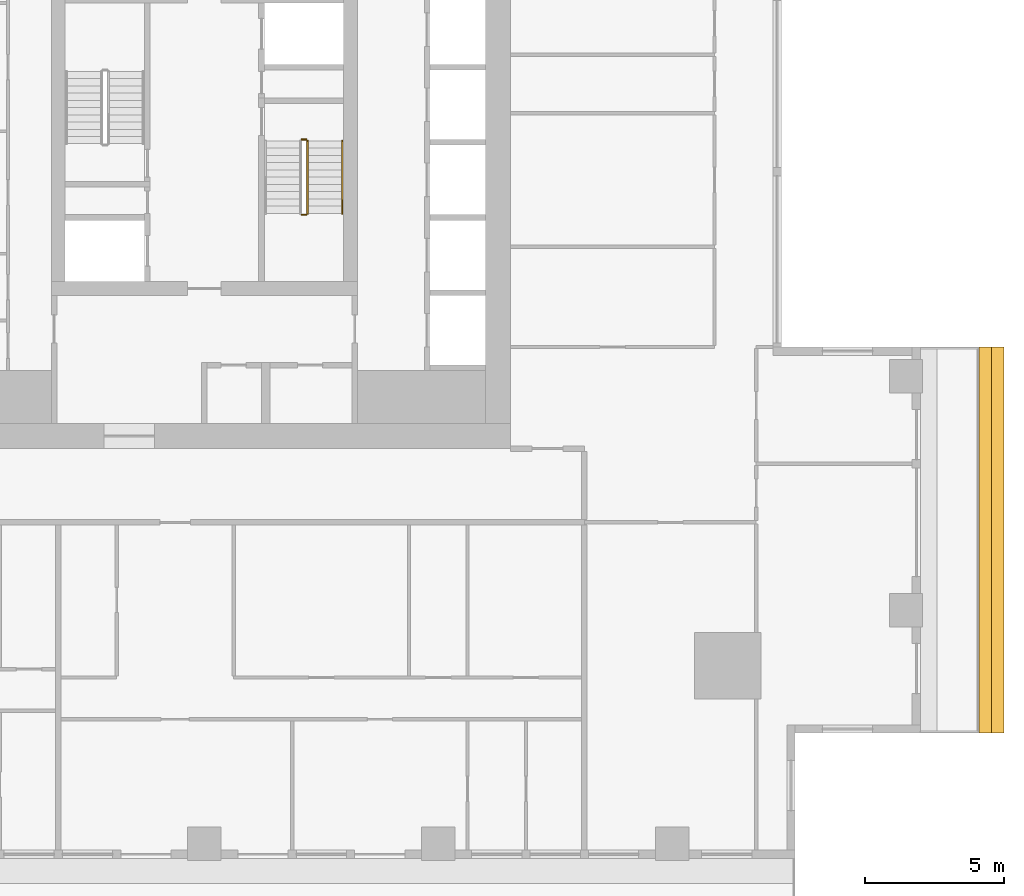
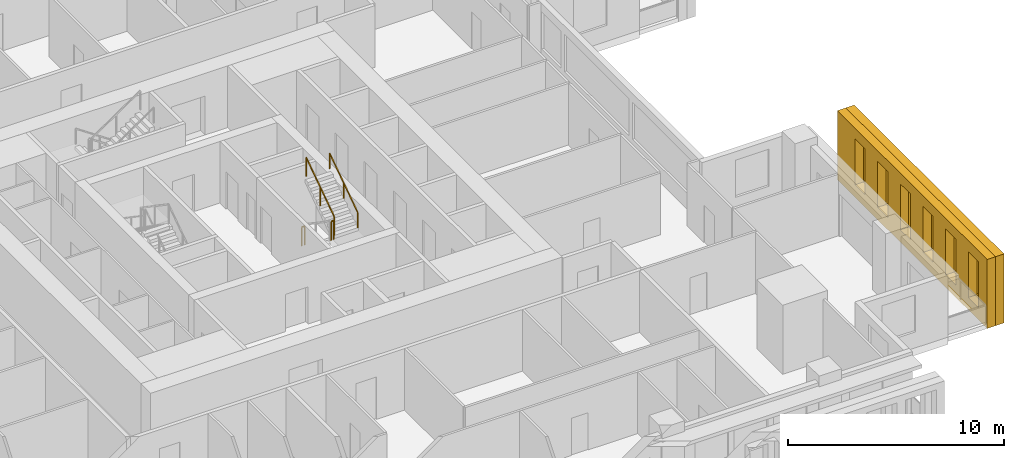
# One storey, part 14 of 16: 4 railings, 2 shading devices.
"""IFC4 building model written with IfcOpenShell, lengths in metres."""

from ifc_helpers import new_model, si_unit, direction, frame, origin, origin_2d, place, context, subcontext, project, spatial, polyline, rectangle, outline, extrude, material, type_object, element, save


model = new_model("IFC4")

# Units and contexts
model_context = context("Model", 3, precision=1e-05, world=origin(), true_north=direction((0.0, 1.0)))
body_context = subcontext(model_context, "Body", "Model", "MODEL_VIEW")
ifc_project = project(units=[si_unit("LENGTHUNIT", "METRE"), si_unit("AREAUNIT", "SQUARE_METRE"), si_unit("VOLUMEUNIT", "CUBIC_METRE"), si_unit("PLANEANGLEUNIT", "RADIAN"), si_unit("MASSUNIT", "GRAM", prefix="KILO")], contexts=[model_context])

# Site, building, storey
site_placement = place(None, origin())
site = spatial("IfcSite", under=ifc_project, at=site_placement, CompositionType="ELEMENT")
building_placement = place(site_placement, origin())
building = spatial("IfcBuilding", under=site, at=building_placement, Name="Khepri Terraces", CompositionType="ELEMENT")
storey_placement = place(building_placement, frame((0.0, 0.0, 207.89990234375)))
storey = spatial("IfcBuildingStorey", under=building, at=storey_placement, Name="L49", CompositionType="ELEMENT", Elevation=207.89990234375)

# Railings
ifc_material_1 = material(Name="Stainless steel 316", Category="steel")
railing_type_1 = type_object("IfcRailingType", Name="RL-CORE-GUARD", PredefinedType="GUARDRAIL", material=ifc_material_1)
railing_1_placement = place(storey_placement, frame((3.5, -2.60009765625, 1.9501953125)))
element("IfcRailing", 1, at=railing_1_placement, inside=storey, type_object=railing_type_1, Name="L49 ST-2 stair guard 2", PredefinedType="GUARDRAIL", context=body_context, shape_type="SweptSolid", body=[
    extrude(rectangle(XDim=0.050048828125, YDim=0.06005859375, at=origin_2d()), frame((0.0, 0.0, 1.070068359375), z_axis=(1.0, 0.0, 0.0), x_axis=(0.0, 1.0, 0.0)), (0.0, 0.0, 1.0), 0.14990234375),
    extrude(rectangle(XDim=0.050048828125, YDim=0.050048828125, at=origin_2d()), origin(), (0.0, 0.0, 1.0), 1.0400390625),
    extrude(rectangle(XDim=0.050048828125, YDim=0.050048828125, at=origin_2d()), frame((0.14990234375, 0.0, 0.0)), (0.0, 0.0, 1.0), 1.0400390625),
])
railing_2_placement = place(storey_placement, frame((3.699951171875, -2.550048828125, 2.12744140625)))
element("IfcRailing", 2, at=railing_2_placement, inside=storey, type_object=railing_type_1, Name="L49 ST-2 stair guard 3", PredefinedType="GUARDRAIL", context=body_context, shape_type="SweptSolid", body=[
    extrude(rectangle(XDim=0.050048828125, YDim=0.06005859375, at=origin_2d()), frame((0.0, 0.0, 1.070068359375), z_axis=(0.0, 0.826240473404, 0.563317565952), x_axis=(-1.0, 0.0, 0.0)), (0.0, 0.0, 1.0), 3.14697265625),
    extrude(rectangle(XDim=0.050048828125, YDim=0.050048828125, at=origin_2d()), origin(), (0.0, 0.0, 1.0), 1.0400390625),
    extrude(rectangle(XDim=0.050048828125, YDim=0.050048828125, at=origin_2d()), frame((0.0, 1.300048828125, 0.88623046875)), (0.0, 0.0, 1.0), 1.0400390625),
    extrude(rectangle(XDim=0.050048828125, YDim=0.050048828125, at=origin_2d()), frame((0.0, 2.60009765625, 1.772705078125)), (0.0, 0.0, 1.0), 1.0400390625),
])
railing_3_placement = place(storey_placement, frame((3.5, 0.10009765625, 0.0)))
element("IfcRailing", 3, at=railing_3_placement, inside=storey, type_object=railing_type_1, Name="L49 ST-2 stair guard 4", PredefinedType="GUARDRAIL", context=body_context, shape_type="SweptSolid", body=[
    extrude(rectangle(XDim=0.050048828125, YDim=0.06005859375, at=origin_2d()), frame((0.0, 0.0, 1.070068359375), z_axis=(1.0, 0.0, 0.0), x_axis=(0.0, 1.0, 0.0)), (0.0, 0.0, 1.0), 0.14990234375),
    extrude(rectangle(XDim=0.050048828125, YDim=0.050048828125, at=origin_2d()), origin(), (0.0, 0.0, 1.0), 1.0400390625),
    extrude(rectangle(XDim=0.050048828125, YDim=0.050048828125, at=origin_2d()), frame((0.14990234375, 0.0, 0.0)), (0.0, 0.0, 1.0), 1.0400390625),
])
railing_type_2 = type_object("IfcRailingType", Name="RL-CORE-HANDRAIL", PredefinedType="HANDRAIL", material=ifc_material_1)
railing_4_placement = place(storey_placement, frame((4.949951171875, -2.550048828125, 2.12744140625)))
element("IfcRailing", 4, at=railing_4_placement, inside=storey, type_object=railing_type_2, Name="L49 ST-2 stair handrail 2", PredefinedType="HANDRAIL", context=body_context, shape_type="SweptSolid", body=[
    extrude(rectangle(XDim=0.050048828125, YDim=0.050048828125, at=origin_2d()), frame((0.0, 0.0, 0.875), z_axis=(0.0, 0.826240473404, 0.563317565952), x_axis=(-1.0, 0.0, 0.0)), (0.0, 0.0, 1.0), 3.14697265625),
    extrude(rectangle(XDim=0.050048828125, YDim=0.050048828125, at=origin_2d()), origin(), (0.0, 0.0, 1.0), 0.849853515625),
    extrude(rectangle(XDim=0.050048828125, YDim=0.050048828125, at=origin_2d()), frame((0.0, 1.300048828125, 0.88623046875)), (0.0, 0.0, 1.0), 0.849853515625),
    extrude(rectangle(XDim=0.050048828125, YDim=0.050048828125, at=origin_2d()), frame((0.0, 2.60009765625, 1.772705078125)), (0.0, 0.0, 1.0), 0.849853515625),
])

# Shading devices
ifc_material_2 = material(Name="Precast concrete C50/60 warm stone", Category="masonry")
shading_device_type_1 = type_object("IfcShadingDeviceType", Name="SCR-CELL-INNER-450", PredefinedType="USERDEFINED", material=ifc_material_2)
shading_device_1_placement = place(storey_placement, frame((27.820068359375, -21.219970703125, -0.25), z_axis=(1.0, 0.0, 0.0), x_axis=(0.0, 1.0, 0.0)))
element("IfcShadingDevice", 5, at=shading_device_1_placement, inside=storey, type_object=shading_device_type_1, Name="Cell screen L49 E in", ObjectType="SCREEN", PredefinedType="USERDEFINED", context=body_context, shape_type="SweptSolid", body=[
    extrude(outline(polyline([(0.0, 0.0), (13.8701171875, 0.0), (13.8701171875, 3.89990234375), (0.0, 3.89990234375), (0.0, 0.0)]), holes=[polyline([(0.797607421875, 0.699951171875), (1.742431640625, 0.699951171875), (1.742431640625, 3.300048828125), (0.797607421875, 3.300048828125), (0.797607421875, 0.699951171875)]), polyline([(2.8974609375, 0.699951171875), (3.842529296875, 0.699951171875), (3.842529296875, 3.300048828125), (2.8974609375, 3.300048828125), (2.8974609375, 0.699951171875)]), polyline([(4.99755859375, 0.699951171875), (5.9423828125, 0.699951171875), (5.9423828125, 3.300048828125), (4.99755859375, 3.300048828125), (4.99755859375, 0.699951171875)]), polyline([(7.097412109375, 0.699951171875), (8.04248046875, 0.699951171875), (8.04248046875, 3.300048828125), (7.097412109375, 3.300048828125), (7.097412109375, 0.699951171875)]), polyline([(9.197509765625, 0.699951171875), (10.142578125, 0.699951171875), (10.142578125, 3.300048828125), (9.197509765625, 3.300048828125), (9.197509765625, 0.699951171875)]), polyline([(11.297607421875, 0.699951171875), (12.242431640625, 0.699951171875), (12.242431640625, 3.300048828125), (11.297607421875, 3.300048828125), (11.297607421875, 0.699951171875)])]), origin(), (0.0, 0.0, 1.0), 0.449951171875),
])
shading_device_type_2 = type_object("IfcShadingDeviceType", Name="SCR-CELL-OUTER-450", PredefinedType="USERDEFINED", material=ifc_material_2)
shading_device_2_placement = place(storey_placement, frame((28.27001953125, -21.219970703125, -0.25), z_axis=(1.0, 0.0, 0.0), x_axis=(0.0, 1.0, 0.0)))
element("IfcShadingDevice", 6, at=shading_device_2_placement, inside=storey, type_object=shading_device_type_2, Name="Cell screen L49 E out", ObjectType="SCREEN", PredefinedType="USERDEFINED", context=body_context, shape_type="SweptSolid", body=[
    extrude(outline(polyline([(0.0, 0.0), (13.8701171875, 0.0), (13.8701171875, 3.89990234375), (0.0, 3.89990234375), (0.0, 0.0)]), holes=[polyline([(0.447509765625, 0.449951171875), (2.092529296875, 0.449951171875), (2.092529296875, 3.550048828125), (0.447509765625, 3.550048828125), (0.447509765625, 0.449951171875)]), polyline([(2.547607421875, 0.449951171875), (4.1923828125, 0.449951171875), (4.1923828125, 3.550048828125), (2.547607421875, 3.550048828125), (2.547607421875, 0.449951171875)]), polyline([(4.6474609375, 0.449951171875), (6.29248046875, 0.449951171875), (6.29248046875, 3.550048828125), (4.6474609375, 3.550048828125), (4.6474609375, 0.449951171875)]), polyline([(6.74755859375, 0.449951171875), (8.392578125, 0.449951171875), (8.392578125, 3.550048828125), (6.74755859375, 3.550048828125), (6.74755859375, 0.449951171875)]), polyline([(8.847412109375, 0.449951171875), (10.492431640625, 0.449951171875), (10.492431640625, 3.550048828125), (8.847412109375, 3.550048828125), (8.847412109375, 0.449951171875)]), polyline([(10.947509765625, 0.449951171875), (12.592529296875, 0.449951171875), (12.592529296875, 3.550048828125), (10.947509765625, 3.550048828125), (10.947509765625, 0.449951171875)])]), origin(), (0.0, 0.0, 1.0), 0.449951171875),
])

save(model, "model.ifc")
